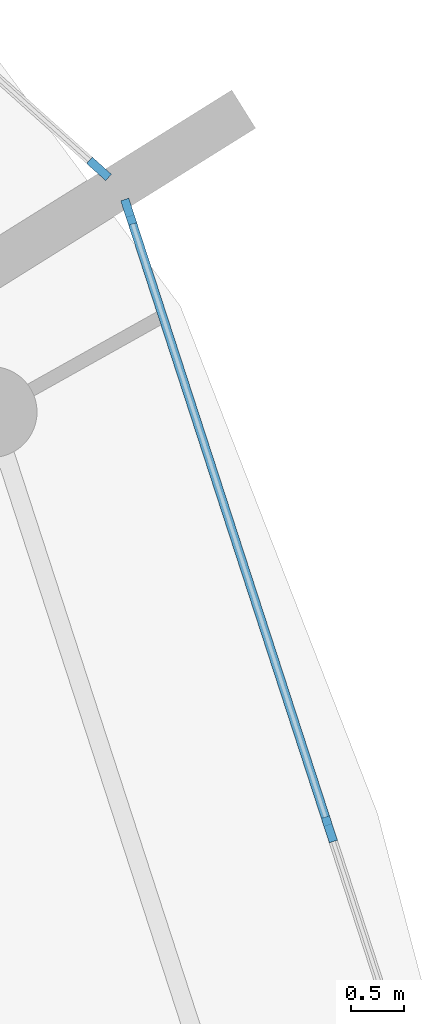
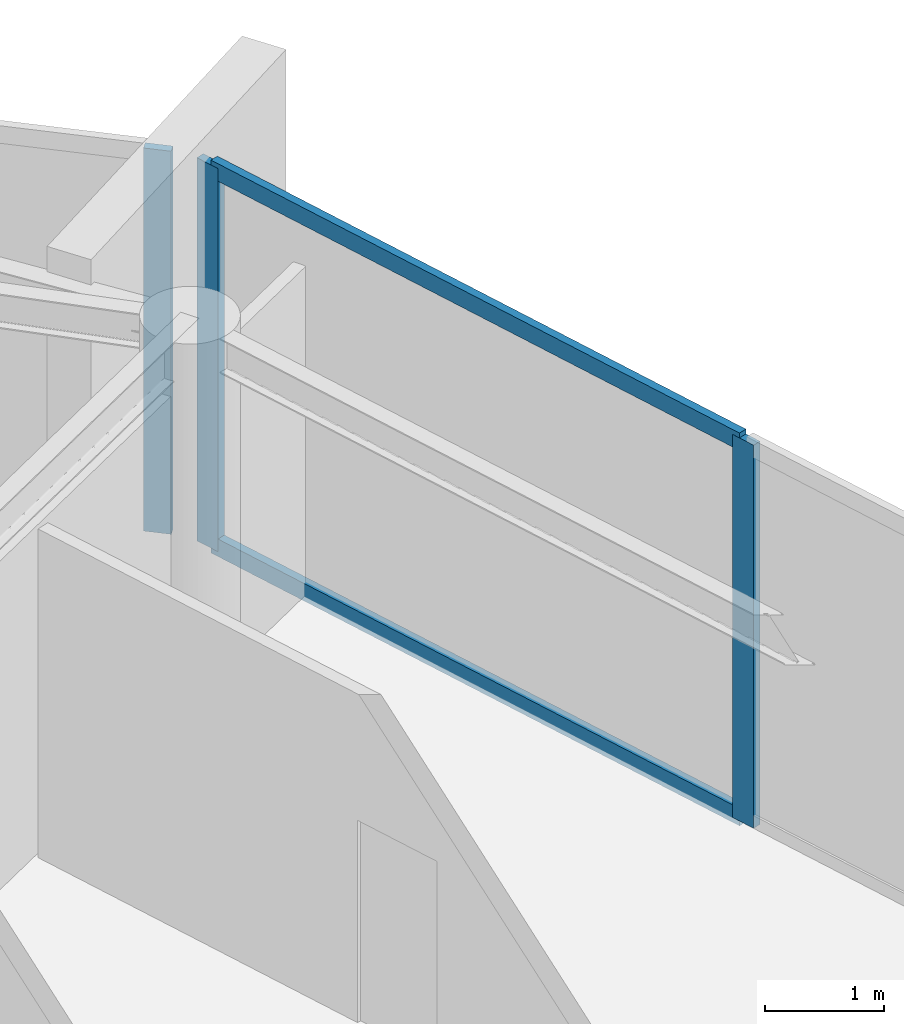
# One storey, part 8 of 22: 5 members, 2 elements without a shape of their own.
"""IFC4 building model written with IfcOpenShell, lengths in metres."""

from ifc_helpers import new_model, si_unit, direction, frame, origin, origin_2d, place, context, subcontext, project, spatial, rectangle, extrude, material, layer, layer_set, material_profile, profile_set, type_object, element, aggregate, save


model = new_model("IFC4")

# Units and contexts
model_context = context("Model", 3, precision=1e-05, world=origin(), true_north=direction((0.0, 1.0)))
body_context = subcontext(model_context, "Body", "Model", "MODEL_VIEW")
ifc_project = project(units=[si_unit("LENGTHUNIT", "METRE"), si_unit("AREAUNIT", "SQUARE_METRE"), si_unit("VOLUMEUNIT", "CUBIC_METRE"), si_unit("PLANEANGLEUNIT", "RADIAN"), si_unit("MASSUNIT", "GRAM", prefix="KILO")], contexts=[model_context])

# Site, building, storey
site_placement = place(None, origin())
site = spatial("IfcSite", under=ifc_project, at=site_placement, CompositionType="ELEMENT")
building_placement = place(site_placement, origin())
building = spatial("IfcBuilding", under=site, at=building_placement, Name="Kazma Halo Residences", CompositionType="ELEMENT")
storey_placement = place(building_placement, frame((0.0, 0.0, 330.5)))
storey = spatial("IfcBuildingStorey", under=building, at=storey_placement, Name="L83", CompositionType="ELEMENT", Elevation=330.5)

# Curtain wall, member
ifc_material_1 = material(Name="Aluminium AW-6063 T6 and Triple-Silver Low-E Glass", Category="aluminium")
ifc_layer = layer(ifc_material_1, 0.239990234375)
ifc_layer_set = layer_set([ifc_layer], Name="Aluminium AW-6063 T6 and Triple-Silver Low-E Glass")
curtain_wall_type = type_object("IfcCurtainWallType", Name="CW-SYS-6", PredefinedType="NOTDEFINED", material=ifc_layer_set)
curtain_wall_1_placement = place(storey_placement, origin())
curtain_wall_1 = element("IfcCurtainWall", 1, at=curtain_wall_1_placement, inside=storey, type_object=curtain_wall_type, Name="L83 unitised curtain wall B01", PredefinedType="NOTDEFINED")
ifc_material_2 = material(Name="Aluminium AW-6063 T6", Category="aluminium")
ifc_material_profile_1 = material_profile(ifc_material_2, rectangle(XDim=0.080078125, YDim=0.239990234375, at=origin_2d()), Name="CWM-80x240")
ifc_profile_set_1 = profile_set([ifc_material_profile_1], Name="Aluminium AW-6063 T6")
member_type_1 = type_object("IfcMemberType", Name="CW-SYS-6-MUL", PredefinedType="MULLION", material=ifc_profile_set_1)
member_1_placement = place(storey_placement, frame((69.968017578125, 56.013916015625, 0.0), z_axis=(0.0, 0.0, 1.0), x_axis=(-0.667757559118, -0.744378829791, 0.0)))
member_1 = element("IfcMember", 2, at=member_1_placement, type_object=member_type_1, Name="CWS-6 mullion 1", PredefinedType="MULLION", context=body_context, shape_type="SweptSolid", body=[
    extrude(rectangle(XDim=0.080078125, YDim=0.239990234375, at=origin_2d()), origin(), (0.0, 0.0, 1.0), 3.93994140625),
])
aggregate(curtain_wall_1, [member_1])

# Curtain wall, members
curtain_wall_2_placement = place(storey_placement, origin())
curtain_wall_2 = element("IfcCurtainWall", 3, at=curtain_wall_2_placement, inside=storey, type_object=curtain_wall_type, Name="L83 unitised curtain wall B16", PredefinedType="NOTDEFINED")
member_2_placement = place(storey_placement, frame((72.12255859375, 49.837890625, 0.0), z_axis=(0.0, 0.0, 1.0), x_axis=(-0.951055886462, -0.309018932797, 0.0)))
member_2 = element("IfcMember", 4, at=member_2_placement, type_object=member_type_1, Name="CWS-6 mullion 2", PredefinedType="MULLION", context=body_context, shape_type="SweptSolid", body=[
    extrude(rectangle(XDim=0.080078125, YDim=0.239990234375, at=origin_2d()), origin(), (0.0, 0.0, 1.0), 3.93994140625),
])
member_3_placement = place(storey_placement, frame((70.245849609375, 55.61328125, 0.0), z_axis=(0.0, 0.0, 1.0), x_axis=(-0.951055886462, -0.309018932797, 0.0)))
member_3 = element("IfcMember", 5, at=member_3_placement, type_object=member_type_1, Name="CWS-6 mullion 3", PredefinedType="MULLION", context=body_context, shape_type="SweptSolid", body=[
    extrude(rectangle(XDim=0.080078125, YDim=0.239990234375, at=origin_2d()), origin(), (0.0, 0.0, 1.0), 3.93994140625),
])
ifc_material_profile_2 = material_profile(ifc_material_2, rectangle(XDim=0.080078125, YDim=0.179931640625, at=origin_2d()), Name="CWT-80x180")
ifc_profile_set_2 = profile_set([ifc_material_profile_2], Name="Aluminium AW-6063 T6")
member_type_2 = type_object("IfcMemberType", Name="CW-SYS-6-TRN", PredefinedType="USERDEFINED", material=ifc_profile_set_2)
member_4_placement = place(storey_placement, frame((72.110107421875, 49.8759765625, 0.0400390625), z_axis=(-0.309019743831, 0.951055622938, 0.0), x_axis=(-0.951055622938, -0.309019743831, 0.0)))
member_4 = element("IfcMember", 6, at=member_4_placement, type_object=member_type_2, Name="CWS-6 transom 2.1", ObjectType="TRANSOM", PredefinedType="USERDEFINED", context=body_context, shape_type="SweptSolid", body=[
    extrude(rectangle(XDim=0.080078125, YDim=0.179931640625, at=origin_2d()), origin(), (0.0, 0.0, 1.0), 5.992431640625),
])
member_5_placement = place(storey_placement, frame((72.110107421875, 49.8759765625, 3.89990234375), z_axis=(-0.309019743831, 0.951055622938, 0.0), x_axis=(-0.951055622938, -0.309019743831, 0.0)))
member_5 = element("IfcMember", 7, at=member_5_placement, type_object=member_type_2, Name="CWS-6 transom 2.2", ObjectType="TRANSOM", PredefinedType="USERDEFINED", context=body_context, shape_type="SweptSolid", body=[
    extrude(rectangle(XDim=0.080078125, YDim=0.179931640625, at=origin_2d()), origin(), (0.0, 0.0, 1.0), 5.992431640625),
])
aggregate(curtain_wall_2, [member_2, member_3, member_4, member_5])

save(model, "model.ifc")
